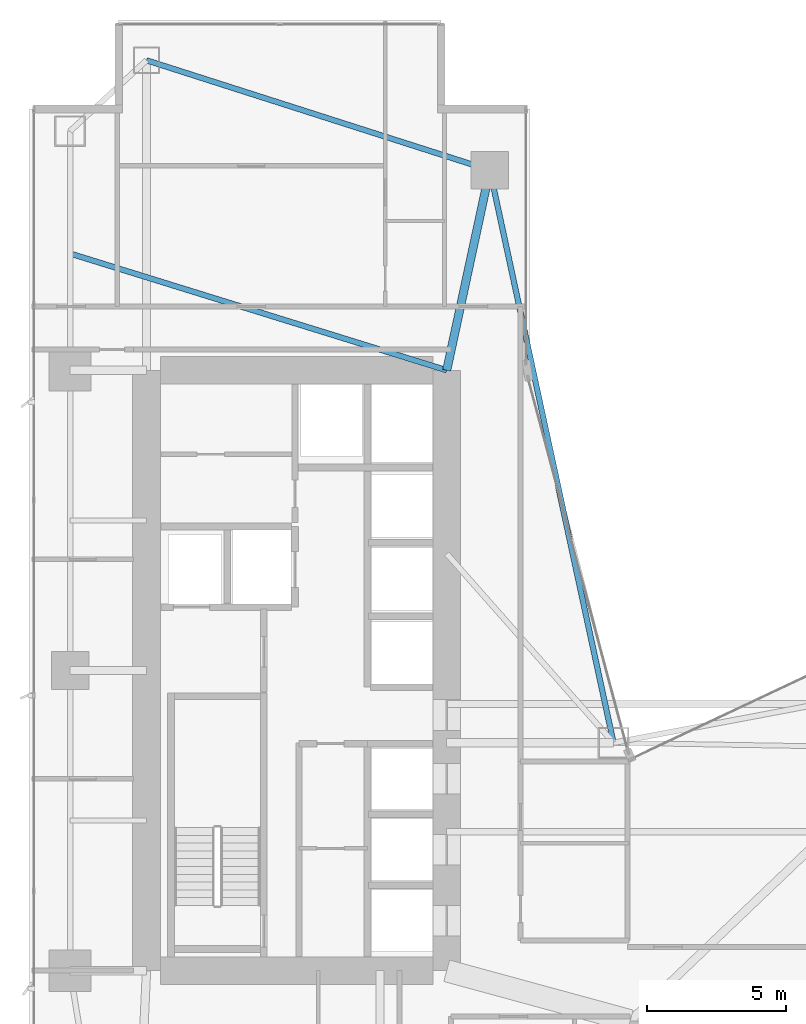
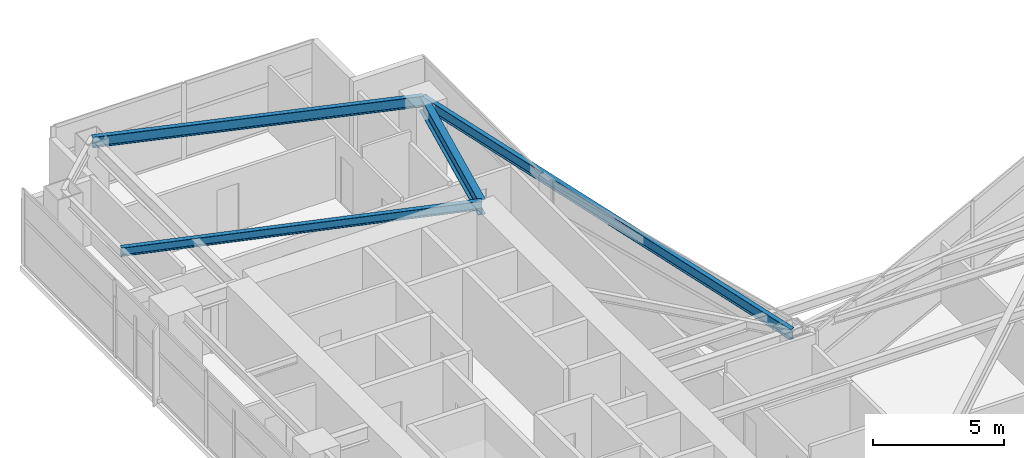
# One storey, part 17 of 29: 4 beams.
"""IFC4 building model written with IfcOpenShell, lengths in metres."""

from ifc_helpers import new_model, si_unit, direction, frame, origin, origin_2d, place, context, subcontext, project, spatial, i_section, extrude, material, material_profile, profile_set, type_object, element, save


model = new_model("IFC4")

# Units and contexts
model_context = context("Model", 3, precision=1e-05, world=origin(), true_north=direction((0.0, 1.0)))
body_context = subcontext(model_context, "Body", "Model", "MODEL_VIEW")
ifc_project = project(units=[si_unit("LENGTHUNIT", "METRE"), si_unit("AREAUNIT", "SQUARE_METRE"), si_unit("VOLUMEUNIT", "CUBIC_METRE"), si_unit("PLANEANGLEUNIT", "RADIAN"), si_unit("MASSUNIT", "GRAM", prefix="KILO")], contexts=[model_context])

# Site, building, storey
site_placement = place(None, origin())
site = spatial("IfcSite", under=ifc_project, at=site_placement, CompositionType="ELEMENT")
building_placement = place(site_placement, origin())
building = spatial("IfcBuilding", under=site, at=building_placement, Name="Calvorn Quay Hotel", CompositionType="ELEMENT")
storey_placement = place(building_placement, frame((0.0, 0.0, 85.0)))
storey = spatial("IfcBuildingStorey", under=building, at=storey_placement, Name="L20", CompositionType="ELEMENT", Elevation=85.0)

# Beams
ifc_material_1 = material(Name="Steel Q390GJC", Category="steel")
ifc_material_profile_1 = material_profile(ifc_material_1, i_section(OverallWidth=0.300048828125, OverallDepth=0.699951171875, WebThickness=0.012939453125, FlangeThickness=0.02392578125, FilletRadius=0.02392578125, at=origin_2d()), Name="HN700x300x13x24")
ifc_profile_set_1 = profile_set([ifc_material_profile_1], Name="Steel Q390GJC")
beam_type_1 = type_object("IfcBeamType", Name="BM-GIRD-MAIN", PredefinedType="BEAM", material=ifc_profile_set_1)
beam_1_placement = place(storey_placement, frame((16.550048828125, 45.60009765625, 3.18994140625), z_axis=(-0.210457140491, -0.97760308511, 0.0), x_axis=(0.97760308511, -0.210457140491, 0.0)))
element("IfcBeam", 1, at=beam_1_placement, inside=storey, type_object=beam_type_1, Name="Beam BG-L20-W6", PredefinedType="BEAM", context=body_context, shape_type="SweptSolid", body=[
    extrude(i_section(OverallWidth=0.300048828125, OverallDepth=0.699951171875, WebThickness=0.012939453125, FlangeThickness=0.02392578125, FilletRadius=0.02392578125, at=origin_2d()), origin(), (0.0, 0.0, 1.0), 7.365234375),
])
ifc_material_2 = material(Name="Steel Q355B", Category="steel")
ifc_material_profile_2 = material_profile(ifc_material_2, i_section(OverallWidth=0.199951171875, OverallDepth=0.39990234375, WebThickness=0.008056640625, FlangeThickness=0.012939453125, FilletRadius=0.01611328125, at=origin_2d()), Name="HN400x200x8x13")
ifc_profile_set_2 = profile_set([ifc_material_profile_2], Name="Steel Q355B")
beam_type_2 = type_object("IfcBeamType", Name="BM-JOIST-TYP", PredefinedType="JOIST", material=ifc_profile_set_2)
beam_2_placement = place(storey_placement, frame((1.449951171875, 42.60009765625, 3.340087890625), z_axis=(0.955163702122, -0.296078202759, 0.0), x_axis=(0.296078202759, 0.955163702122, 0.0)))
element("IfcBeam", 2, at=beam_2_placement, inside=storey, type_object=beam_type_2, Name="Beam BJ-L20-W2", PredefinedType="JOIST", context=body_context, shape_type="SweptSolid", body=[
    extrude(i_section(OverallWidth=0.199951171875, OverallDepth=0.39990234375, WebThickness=0.008056640625, FlangeThickness=0.012939453125, FilletRadius=0.01611328125, at=origin_2d()), origin(), (0.0, 0.0, 1.0), 14.18603515625),
])
ifc_material_3 = material(Name="Steel Q355B", Category="steel")
ifc_material_profile_3 = material_profile(ifc_material_3, i_section(OverallWidth=0.199951171875, OverallDepth=0.5, WebThickness=0.010009765625, FlangeThickness=0.01611328125, FilletRadius=0.01611328125, at=origin_2d()), Name="HN500x200x10x16")
ifc_profile_set_3 = profile_set([ifc_material_profile_3], Name="Steel Q355B")
beam_type_3 = type_object("IfcBeamType", Name="BM-SPANDREL-Z1", PredefinedType="SPANDREL", material=ifc_profile_set_3)
beam_3_placement = place(storey_placement, frame((4.199951171875, 49.550048828125, 3.2900390625), z_axis=(0.952470702374, -0.304630203885, 0.0), x_axis=(0.304630203885, 0.952470702374, 0.0)))
element("IfcBeam", 3, at=beam_3_placement, inside=storey, type_object=beam_type_3, Name="Beam BSP-L20-W6", PredefinedType="SPANDREL", context=body_context, shape_type="SweptSolid", body=[
    extrude(i_section(OverallWidth=0.199951171875, OverallDepth=0.5, WebThickness=0.010009765625, FlangeThickness=0.01611328125, FilletRadius=0.01611328125, at=origin_2d()), origin(), (0.0, 0.0, 1.0), 12.96630859375),
])
beam_4_placement = place(storey_placement, frame((16.550048828125, 45.60009765625, 3.2900390625), z_axis=(0.211145848376, -0.977454567084, 0.0), x_axis=(0.977454567084, 0.211145848376, 0.0)))
element("IfcBeam", 4, at=beam_4_placement, inside=storey, type_object=beam_type_3, Name="Beam BSP-L20-W7", PredefinedType="SPANDREL", context=body_context, shape_type="SweptSolid", body=[
    extrude(i_section(OverallWidth=0.199951171875, OverallDepth=0.5, WebThickness=0.010009765625, FlangeThickness=0.01611328125, FilletRadius=0.01611328125, at=origin_2d()), origin(), (0.0, 0.0, 1.0), 21.0751953125),
])

save(model, "model.ifc")
